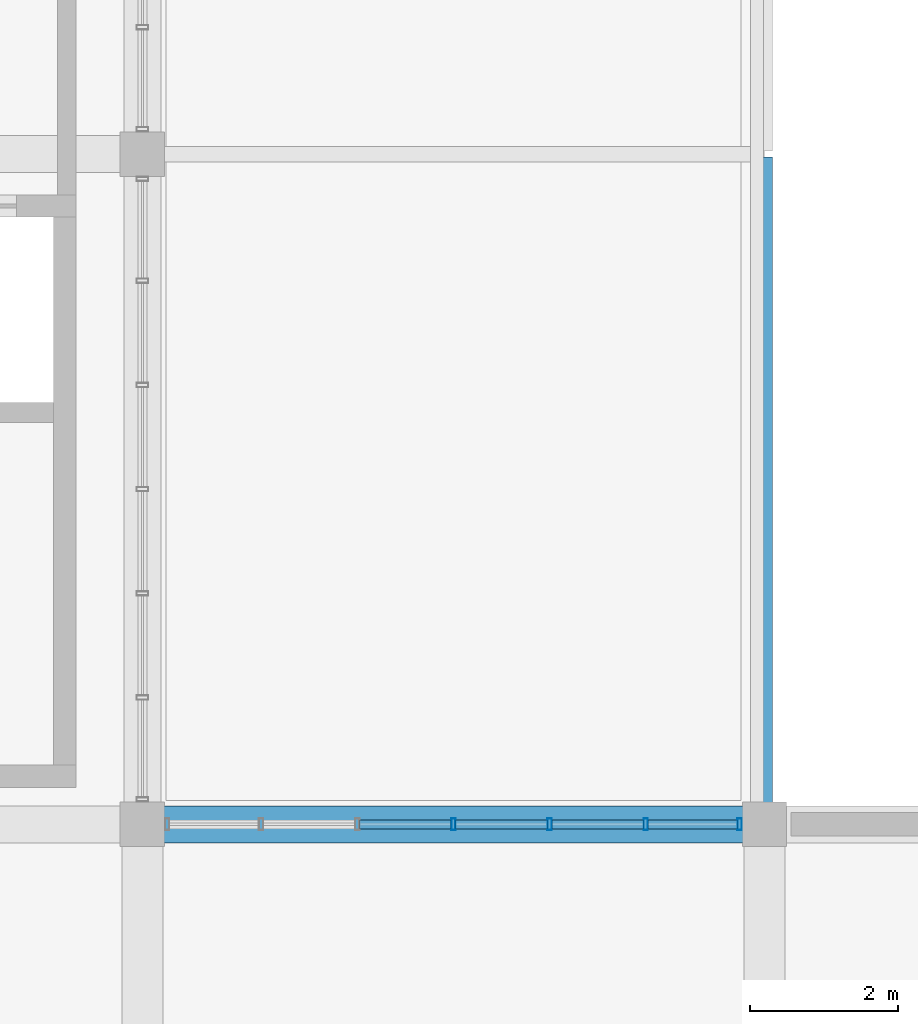
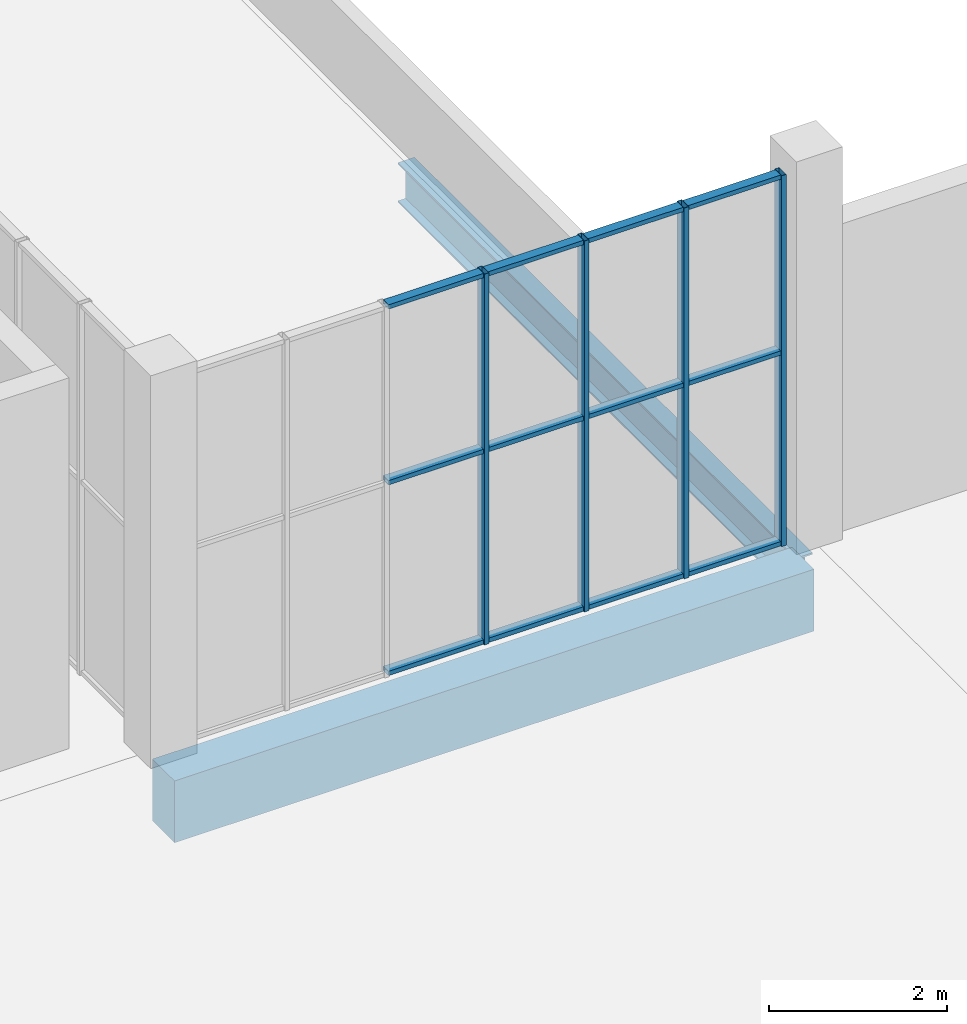
# One storey, part 82 of 132: 16 members, 2 beams, 1 element without a shape of its own.
"""IFC4 building model written with IfcOpenShell, lengths in metres."""

from ifc_helpers import new_model, si_unit, direction, frame, origin, origin_2d, place, context, subcontext, project, spatial, rectangle, hollow_rectangle, i_section, extrude, material, material_profile, profile_set, type_object, element, aggregate, save


model = new_model("IFC4")

# Units and contexts
model_context = context("Model", 3, precision=1e-05, world=origin(), true_north=direction((0.0, 1.0)))
body_context = subcontext(model_context, "Body", "Model", "MODEL_VIEW")
ifc_project = project(units=[si_unit("LENGTHUNIT", "METRE"), si_unit("AREAUNIT", "SQUARE_METRE"), si_unit("VOLUMEUNIT", "CUBIC_METRE"), si_unit("PLANEANGLEUNIT", "RADIAN"), si_unit("MASSUNIT", "GRAM", prefix="KILO")], contexts=[model_context])

# Site, building, storey
site_placement = place(None, origin())
site = spatial("IfcSite", under=ifc_project, at=site_placement, CompositionType="ELEMENT")
building_placement = place(site_placement, origin())
building = spatial("IfcBuilding", under=site, at=building_placement, Name="Khurvash Pelagic Aquarium", CompositionType="ELEMENT")
storey_placement = place(building_placement, frame((0.0, 0.0, 5.39990234375)))
storey = spatial("IfcBuildingStorey", under=building, at=storey_placement, Name="L01", CompositionType="ELEMENT", Elevation=5.39990234375)

# Beam
ifc_material_1 = material(Name="Steel ASTM A992 Grade 50", Category="steel")
ifc_material_profile_1 = material_profile(ifc_material_1, i_section(OverallWidth=0.214111328125, OverallDepth=0.549072265625, WebThickness=0.0146484375, FlangeThickness=0.023681640625, at=origin_2d()), Name="W21X93")
ifc_profile_set_1 = profile_set([ifc_material_profile_1], Name="Steel ASTM A992 Grade 50")
beam_type_1 = type_object("IfcBeamType", Name="BM-11", PredefinedType="BEAM", material=ifc_profile_set_1)
beam_1_placement = place(storey_placement, frame((126.0, 84.090087890625, -0.594482421875), z_axis=(0.0, 1.0, 0.0), x_axis=(-1.0, 0.0, 0.0)))
element("IfcBeam", 1, at=beam_1_placement, inside=storey, type_object=beam_type_1, Name="L01 Roof Girder BM-11 01217", PredefinedType="BEAM", context=body_context, shape_type="SweptSolid", body=[
    extrude(i_section(OverallWidth=0.214111328125, OverallDepth=0.549072265625, WebThickness=0.0146484375, FlangeThickness=0.023681640625, at=origin_2d()), origin(), (0.0, 0.0, 1.0), 8.969970703125),
])

# Curtain wall, members
ifc_material_2 = material(Name="Anodised aluminium and low-E laminated glass", Category="aluminium")
curtain_wall_type = type_object("IfcCurtainWallType", Name="CW-05", PredefinedType="USERDEFINED", material=ifc_material_2)
curtain_wall_placement = place(storey_placement, origin())
curtain_wall = element("IfcCurtainWall", 2, at=curtain_wall_placement, inside=storey, type_object=curtain_wall_type, Name="L01 Facade Unitised Curtain Wall CW-05 0111", ObjectType="UNITISED CURTAIN WALL", PredefinedType="USERDEFINED")
ifc_material_3 = material(Name="Extruded aluminium AW-6063-T6", Category="aluminium")
ifc_material_profile_2 = material_profile(ifc_material_3, hollow_rectangle(XDim=0.06005859375, YDim=0.159912109375, WallThickness=0.00390625, at=origin_2d()), Name="CWM60X160X4")
ifc_profile_set_2 = profile_set([ifc_material_profile_2], Name="Extruded aluminium AW-6063-T6")
member_type_1 = type_object("IfcMemberType", Name="CM-02", PredefinedType="MULLION", material=ifc_profile_set_2)
member_1_placement = place(storey_placement, frame((125.6650390625, 84.050048828125, 0.0), z_axis=(0.0, 0.0, 1.0), x_axis=(-1.0, 0.0, 0.0)))
member_1 = element("IfcMember", 3, at=member_1_placement, type_object=member_type_1, Name="CW-05 mullion 1", PredefinedType="MULLION", context=body_context, shape_type="SweptSolid", body=[
    extrude(hollow_rectangle(XDim=0.06005859375, YDim=0.159912109375, WallThickness=0.00390625, at=origin_2d()), origin(), (0.0, 0.0, 1.0), 5.10009765625),
])
member_2_placement = place(storey_placement, frame((124.396728515625, 84.050048828125, 0.0), z_axis=(0.0, 0.0, 1.0), x_axis=(-1.0, 0.0, 0.0)))
member_2 = element("IfcMember", 4, at=member_2_placement, type_object=member_type_1, Name="CW-05 mullion 2", PredefinedType="MULLION", context=body_context, shape_type="SweptSolid", body=[
    extrude(hollow_rectangle(XDim=0.06005859375, YDim=0.159912109375, WallThickness=0.00390625, at=origin_2d()), origin(), (0.0, 0.0, 1.0), 5.10009765625),
])
member_3_placement = place(storey_placement, frame((123.098388671875, 84.050048828125, 0.0), z_axis=(0.0, 0.0, 1.0), x_axis=(-1.0, 0.0, 0.0)))
member_3 = element("IfcMember", 5, at=member_3_placement, type_object=member_type_1, Name="CW-05 mullion 3", PredefinedType="MULLION", context=body_context, shape_type="SweptSolid", body=[
    extrude(hollow_rectangle(XDim=0.06005859375, YDim=0.159912109375, WallThickness=0.00390625, at=origin_2d()), origin(), (0.0, 0.0, 1.0), 5.10009765625),
])
member_4_placement = place(storey_placement, frame((121.800048828125, 84.050048828125, 0.0), z_axis=(0.0, 0.0, 1.0), x_axis=(-1.0, 0.0, 0.0)))
member_4 = element("IfcMember", 6, at=member_4_placement, type_object=member_type_1, Name="CW-05 mullion 4", PredefinedType="MULLION", context=body_context, shape_type="SweptSolid", body=[
    extrude(hollow_rectangle(XDim=0.06005859375, YDim=0.159912109375, WallThickness=0.00390625, at=origin_2d()), origin(), (0.0, 0.0, 1.0), 5.10009765625),
])
ifc_material_profile_3 = material_profile(ifc_material_3, hollow_rectangle(XDim=0.1201171875, YDim=0.06005859375, WallThickness=0.00390625, at=origin_2d()), Name="CWT120X60X4")
ifc_profile_set_3 = profile_set([ifc_material_profile_3], Name="Extruded aluminium AW-6063-T6")
member_type_2 = type_object("IfcMemberType", Name="CT-02", PredefinedType="USERDEFINED", material=ifc_profile_set_3)
member_5_placement = place(storey_placement, frame((125.635009765625, 84.050048828125, 0.030029296875), z_axis=(-1.0, 0.0, 0.0), x_axis=(0.0, -1.0, 0.0)))
member_5 = element("IfcMember", 7, at=member_5_placement, type_object=member_type_2, Name="CW-05 transom 1.1", ObjectType="TRANSOM", PredefinedType="USERDEFINED", context=body_context, shape_type="SweptSolid", body=[
    extrude(hollow_rectangle(XDim=0.1201171875, YDim=0.06005859375, WallThickness=0.00390625, at=origin_2d()), origin(), (0.0, 0.0, 1.0), 1.208251953125),
])
member_6_placement = place(storey_placement, frame((125.635009765625, 84.050048828125, 2.652099609375), z_axis=(-1.0, 0.0, 0.0), x_axis=(0.0, -1.0, 0.0)))
member_6 = element("IfcMember", 8, at=member_6_placement, type_object=member_type_2, Name="CW-05 transom 1.2", ObjectType="TRANSOM", PredefinedType="USERDEFINED", context=body_context, shape_type="SweptSolid", body=[
    extrude(hollow_rectangle(XDim=0.1201171875, YDim=0.06005859375, WallThickness=0.00390625, at=origin_2d()), origin(), (0.0, 0.0, 1.0), 1.208251953125),
])
member_7_placement = place(storey_placement, frame((125.635009765625, 84.050048828125, 5.070068359375), z_axis=(-1.0, 0.0, 0.0), x_axis=(0.0, -1.0, 0.0)))
member_7 = element("IfcMember", 9, at=member_7_placement, type_object=member_type_2, Name="CW-05 transom 1.3", ObjectType="TRANSOM", PredefinedType="USERDEFINED", context=body_context, shape_type="SweptSolid", body=[
    extrude(hollow_rectangle(XDim=0.1201171875, YDim=0.06005859375, WallThickness=0.00390625, at=origin_2d()), origin(), (0.0, 0.0, 1.0), 1.208251953125),
])
member_8_placement = place(storey_placement, frame((124.36669921875, 84.050048828125, 0.030029296875), z_axis=(-1.0, 0.0, 0.0), x_axis=(0.0, -1.0, 0.0)))
member_8 = element("IfcMember", 10, at=member_8_placement, type_object=member_type_2, Name="CW-05 transom 2.1", ObjectType="TRANSOM", PredefinedType="USERDEFINED", context=body_context, shape_type="SweptSolid", body=[
    extrude(hollow_rectangle(XDim=0.1201171875, YDim=0.06005859375, WallThickness=0.00390625, at=origin_2d()), origin(), (0.0, 0.0, 1.0), 1.23828125),
])
member_9_placement = place(storey_placement, frame((124.36669921875, 84.050048828125, 2.652099609375), z_axis=(-1.0, 0.0, 0.0), x_axis=(0.0, -1.0, 0.0)))
member_9 = element("IfcMember", 11, at=member_9_placement, type_object=member_type_2, Name="CW-05 transom 2.2", ObjectType="TRANSOM", PredefinedType="USERDEFINED", context=body_context, shape_type="SweptSolid", body=[
    extrude(hollow_rectangle(XDim=0.1201171875, YDim=0.06005859375, WallThickness=0.00390625, at=origin_2d()), origin(), (0.0, 0.0, 1.0), 1.23828125),
])
member_10_placement = place(storey_placement, frame((124.36669921875, 84.050048828125, 5.070068359375), z_axis=(-1.0, 0.0, 0.0), x_axis=(0.0, -1.0, 0.0)))
member_10 = element("IfcMember", 12, at=member_10_placement, type_object=member_type_2, Name="CW-05 transom 2.3", ObjectType="TRANSOM", PredefinedType="USERDEFINED", context=body_context, shape_type="SweptSolid", body=[
    extrude(hollow_rectangle(XDim=0.1201171875, YDim=0.06005859375, WallThickness=0.00390625, at=origin_2d()), origin(), (0.0, 0.0, 1.0), 1.23828125),
])
member_11_placement = place(storey_placement, frame((123.068359375, 84.050048828125, 0.030029296875), z_axis=(-1.0, 0.0, 0.0), x_axis=(0.0, -1.0, 0.0)))
member_11 = element("IfcMember", 13, at=member_11_placement, type_object=member_type_2, Name="CW-05 transom 3.1", ObjectType="TRANSOM", PredefinedType="USERDEFINED", context=body_context, shape_type="SweptSolid", body=[
    extrude(hollow_rectangle(XDim=0.1201171875, YDim=0.06005859375, WallThickness=0.00390625, at=origin_2d()), origin(), (0.0, 0.0, 1.0), 1.23828125),
])
member_12_placement = place(storey_placement, frame((123.068359375, 84.050048828125, 2.652099609375), z_axis=(-1.0, 0.0, 0.0), x_axis=(0.0, -1.0, 0.0)))
member_12 = element("IfcMember", 14, at=member_12_placement, type_object=member_type_2, Name="CW-05 transom 3.2", ObjectType="TRANSOM", PredefinedType="USERDEFINED", context=body_context, shape_type="SweptSolid", body=[
    extrude(hollow_rectangle(XDim=0.1201171875, YDim=0.06005859375, WallThickness=0.00390625, at=origin_2d()), origin(), (0.0, 0.0, 1.0), 1.23828125),
])
member_13_placement = place(storey_placement, frame((123.068359375, 84.050048828125, 5.070068359375), z_axis=(-1.0, 0.0, 0.0), x_axis=(0.0, -1.0, 0.0)))
member_13 = element("IfcMember", 15, at=member_13_placement, type_object=member_type_2, Name="CW-05 transom 3.3", ObjectType="TRANSOM", PredefinedType="USERDEFINED", context=body_context, shape_type="SweptSolid", body=[
    extrude(hollow_rectangle(XDim=0.1201171875, YDim=0.06005859375, WallThickness=0.00390625, at=origin_2d()), origin(), (0.0, 0.0, 1.0), 1.23828125),
])
member_14_placement = place(storey_placement, frame((121.77001953125, 84.050048828125, 0.030029296875), z_axis=(-1.0, 0.0, 0.0), x_axis=(0.0, -1.0, 0.0)))
member_14 = element("IfcMember", 16, at=member_14_placement, type_object=member_type_2, Name="CW-05 transom 4.1", ObjectType="TRANSOM", PredefinedType="USERDEFINED", context=body_context, shape_type="SweptSolid", body=[
    extrude(hollow_rectangle(XDim=0.1201171875, YDim=0.06005859375, WallThickness=0.00390625, at=origin_2d()), origin(), (0.0, 0.0, 1.0), 1.23828125),
])
member_15_placement = place(storey_placement, frame((121.77001953125, 84.050048828125, 2.652099609375), z_axis=(-1.0, 0.0, 0.0), x_axis=(0.0, -1.0, 0.0)))
member_15 = element("IfcMember", 17, at=member_15_placement, type_object=member_type_2, Name="CW-05 transom 4.2", ObjectType="TRANSOM", PredefinedType="USERDEFINED", context=body_context, shape_type="SweptSolid", body=[
    extrude(hollow_rectangle(XDim=0.1201171875, YDim=0.06005859375, WallThickness=0.00390625, at=origin_2d()), origin(), (0.0, 0.0, 1.0), 1.23828125),
])
member_16_placement = place(storey_placement, frame((121.77001953125, 84.050048828125, 5.070068359375), z_axis=(-1.0, 0.0, 0.0), x_axis=(0.0, -1.0, 0.0)))
member_16 = element("IfcMember", 18, at=member_16_placement, type_object=member_type_2, Name="CW-05 transom 4.3", ObjectType="TRANSOM", PredefinedType="USERDEFINED", context=body_context, shape_type="SweptSolid", body=[
    extrude(hollow_rectangle(XDim=0.1201171875, YDim=0.06005859375, WallThickness=0.00390625, at=origin_2d()), origin(), (0.0, 0.0, 1.0), 1.23828125),
])
aggregate(curtain_wall, [member_1, member_2, member_3, member_4, member_5, member_6, member_7, member_8, member_9, member_10, member_11, member_12, member_13, member_14, member_15, member_16])

# Beam
ifc_material_4 = material(Name="Concrete C40/50", Category="concrete")
ifc_material_profile_4 = material_profile(ifc_material_4, rectangle(XDim=0.5, YDim=0.85009765625, at=origin_2d()), Name="RC500X850")
ifc_profile_set_4 = profile_set([ifc_material_profile_4], Name="Concrete C40/50")
beam_type_2 = type_object("IfcBeamType", Name="SEB-03", PredefinedType="SPANDREL", material=ifc_profile_set_4)
beam_2_placement = place(storey_placement, frame((117.639892578125, 84.050048828125, -0.744873046875), z_axis=(1.0, 0.0, 0.0), x_axis=(0.0, 1.0, 0.0)))
element("IfcBeam", 19, at=beam_2_placement, inside=storey, type_object=beam_type_2, Name="L01 Primary Girder SEB-03 00317", PredefinedType="SPANDREL", context=body_context, shape_type="SweptSolid", body=[
    extrude(rectangle(XDim=0.5, YDim=0.85009765625, at=origin_2d()), origin(), (0.0, 0.0, 1.0), 8.320068359375),
])

save(model, "model.ifc")
